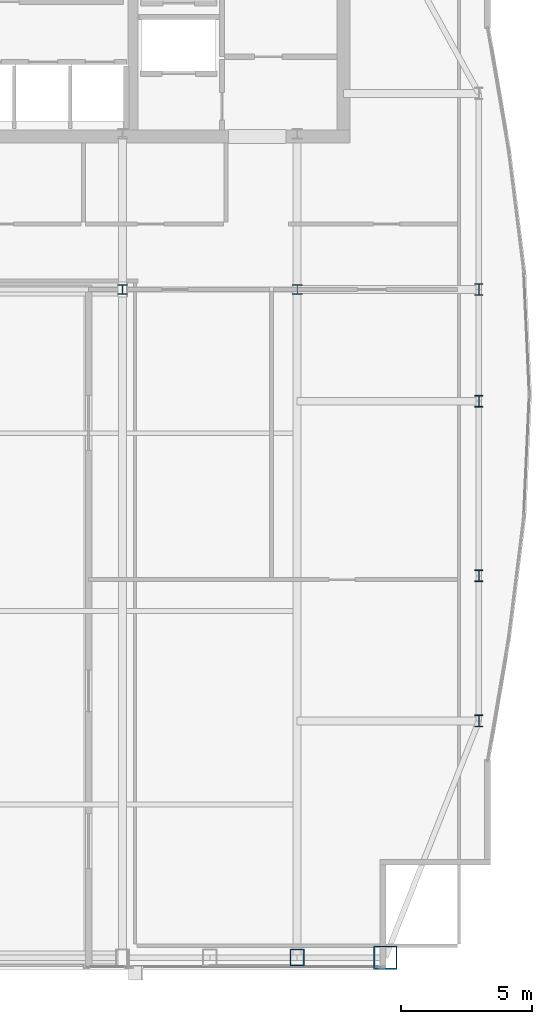
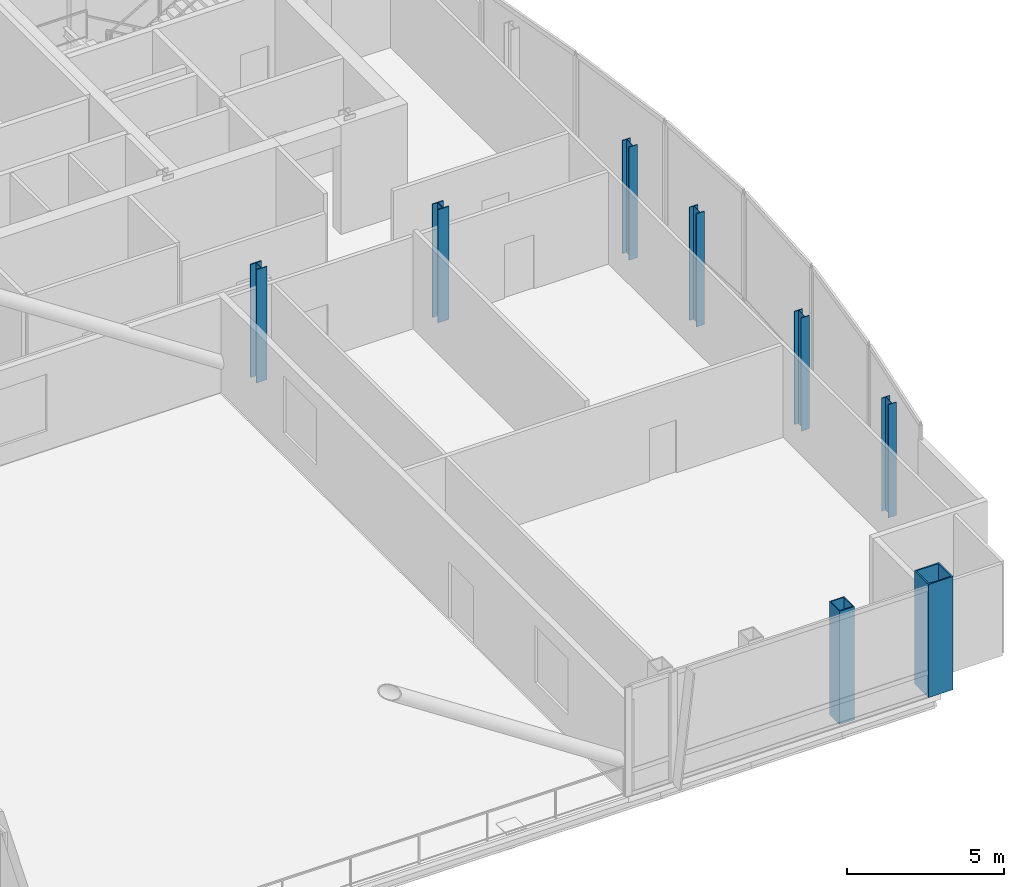
# One storey, part 2 of 27: 8 columns.
"""IFC4 building model written with IfcOpenShell, lengths in metres."""

from ifc_helpers import new_model, si_unit, direction, frame, origin, origin_2d, place, context, subcontext, project, spatial, hollow_rectangle, i_section, extrude, material, material_profile, profile_set, type_object, element, save


model = new_model("IFC4")

# Units and contexts
model_context = context("Model", 3, precision=1e-05, world=origin(), true_north=direction((0.0, 1.0)))
body_context = subcontext(model_context, "Body", "Model", "MODEL_VIEW")
ifc_project = project(units=[si_unit("LENGTHUNIT", "METRE"), si_unit("AREAUNIT", "SQUARE_METRE"), si_unit("VOLUMEUNIT", "CUBIC_METRE"), si_unit("PLANEANGLEUNIT", "RADIAN"), si_unit("MASSUNIT", "GRAM", prefix="KILO")], contexts=[model_context])

# Site, building, storey
site_placement = place(None, origin())
site = spatial("IfcSite", under=ifc_project, at=site_placement, CompositionType="ELEMENT")
building_placement = place(site_placement, origin())
building = spatial("IfcBuilding", under=site, at=building_placement, Name="Khoronbel Lancet Exchange", CompositionType="ELEMENT")
storey_placement = place(building_placement, frame((0.0, 0.0, 305.800048828125)))
storey = spatial("IfcBuildingStorey", under=building, at=storey_placement, Name="L79", CompositionType="ELEMENT", Elevation=305.800048828125)

# Columns
ifc_material_1 = material(Name="Steel S460", Category="steel")
ifc_material_profile_1 = material_profile(ifc_material_1, hollow_rectangle(XDim=0.550048828125, YDim=0.64990234375, WallThickness=0.0400390625, at=origin_2d()), Name="BOX 650x550x40")
ifc_profile_set_1 = profile_set([ifc_material_profile_1], Name="Steel S460")
column_type_1 = type_object("IfcColumnType", Name="COL-EC4", PredefinedType="COLUMN", material=ifc_profile_set_1)
column_1_placement = place(storey_placement, frame((54.675048828125, 10.14990234375, 0.0), z_axis=(0.0, 0.0, 1.0), x_axis=(1.0, 0.0, 0.0)))
element("IfcColumn", 1, at=column_1_placement, inside=storey, type_object=column_type_1, Name="Structural column SC-E2 L79", PredefinedType="COLUMN", context=body_context, shape_type="SweptSolid", body=[
    extrude(hollow_rectangle(XDim=0.550048828125, YDim=0.64990234375, WallThickness=0.0400390625, at=origin_2d()), origin(), (0.0, 0.0, 1.0), 4.39990234375),
])
ifc_material_2 = material(Name="Steel S355", Category="steel")
ifc_material_profile_2 = material_profile(ifc_material_2, i_section(OverallWidth=0.39892578125, OverallDepth=0.39306640625, WebThickness=0.022705078125, FlangeThickness=0.03662109375, at=origin_2d()), Name="HD 400x287")
ifc_profile_set_2 = profile_set([ifc_material_profile_2], Name="Steel S355")
column_type_2 = type_object("IfcColumnType", Name="COL-IC4", PredefinedType="COLUMN", material=ifc_profile_set_2)
for number, where, z_axis, x_axis, name in (
    (2, (48.0, 35.699951171875, 0.0), (0.0, 0.0, 1.0), (1.0, 0.0, 0.0), "Spine gravity column TC3 L79"),
    (3, (54.675048828125, 35.699951171875, 0.0), (0.0, 0.0, 1.0), (1.0, 0.0, 0.0), "Spine gravity column TC4 L79"),
):
    element("IfcColumn", number, at=place(storey_placement, frame(where, z_axis=z_axis, x_axis=x_axis)), inside=storey, type_object=column_type_2, Name=name, PredefinedType="COLUMN", context=body_context, shape_type="SweptSolid", body=[
        extrude(i_section(OverallWidth=0.39892578125, OverallDepth=0.39306640625, WebThickness=0.022705078125, FlangeThickness=0.03662109375, at=origin_2d()), origin(), (0.0, 0.0, 1.0), 4.39990234375),
    ])
ifc_material_profile_3 = material_profile(ifc_material_2, i_section(OverallWidth=0.300048828125, OverallDepth=0.449951171875, WebThickness=0.013916015625, FlangeThickness=0.02587890625, at=origin_2d()), Name="HEB 450")
ifc_profile_set_3 = profile_set([ifc_material_profile_3], Name="Steel S355")
column_type_3 = type_object("IfcColumnType", Name="COL-LC2", PredefinedType="COLUMN", material=ifc_profile_set_3)
for number, where, z_axis, x_axis, name in (
    (4, (61.6298828125, 19.199951171875, 0.0), (0.0, 0.0, 1.0), (1.0, 0.0, 0.0), "Structural column EC-1 L79"),
    (5, (61.6298828125, 24.75, 0.0), (0.0, 0.0, 1.0), (1.0, 0.0, 0.0), "Structural column EC-2 L79"),
    (6, (61.6298828125, 31.425048828125, 0.0), (0.0, 0.0, 1.0), (1.0, 0.0, 0.0), "Structural column EC-M L79"),
    (7, (61.6298828125, 35.699951171875, 0.0), (0.0, 0.0, 1.0), (1.0, 0.0, 0.0), "Structural column EC-3 L79"),
):
    element("IfcColumn", number, at=place(storey_placement, frame(where, z_axis=z_axis, x_axis=x_axis)), inside=storey, type_object=column_type_3, Name=name, PredefinedType="COLUMN", context=body_context, shape_type="SweptSolid", body=[
        extrude(i_section(OverallWidth=0.300048828125, OverallDepth=0.449951171875, WebThickness=0.013916015625, FlangeThickness=0.02587890625, at=origin_2d()), origin(), (0.0, 0.0, 1.0), 4.39990234375),
    ])
ifc_material_profile_4 = material_profile(ifc_material_1, hollow_rectangle(XDim=0.89990234375, YDim=0.89990234375, WallThickness=0.050048828125, at=origin_2d()), Name="BOX 900x900x50")
ifc_profile_set_4 = profile_set([ifc_material_profile_4], Name="Steel S460")
column_type_4 = type_object("IfcColumnType", Name="COL-MC7", PredefinedType="COLUMN", material=ifc_profile_set_4)
column_2_placement = place(storey_placement, frame((58.050048828125, 10.14990234375, 0.0), z_axis=(0.0, 0.0, 1.0), x_axis=(1.0, 0.0, 0.0)))
element("IfcColumn", 8, at=column_2_placement, inside=storey, type_object=column_type_4, Name="Structural column MC-SE L79", PredefinedType="COLUMN", context=body_context, shape_type="SweptSolid", body=[
    extrude(hollow_rectangle(XDim=0.89990234375, YDim=0.89990234375, WallThickness=0.050048828125, at=origin_2d()), origin(), (0.0, 0.0, 1.0), 4.39990234375),
])

save(model, "model.ifc")
